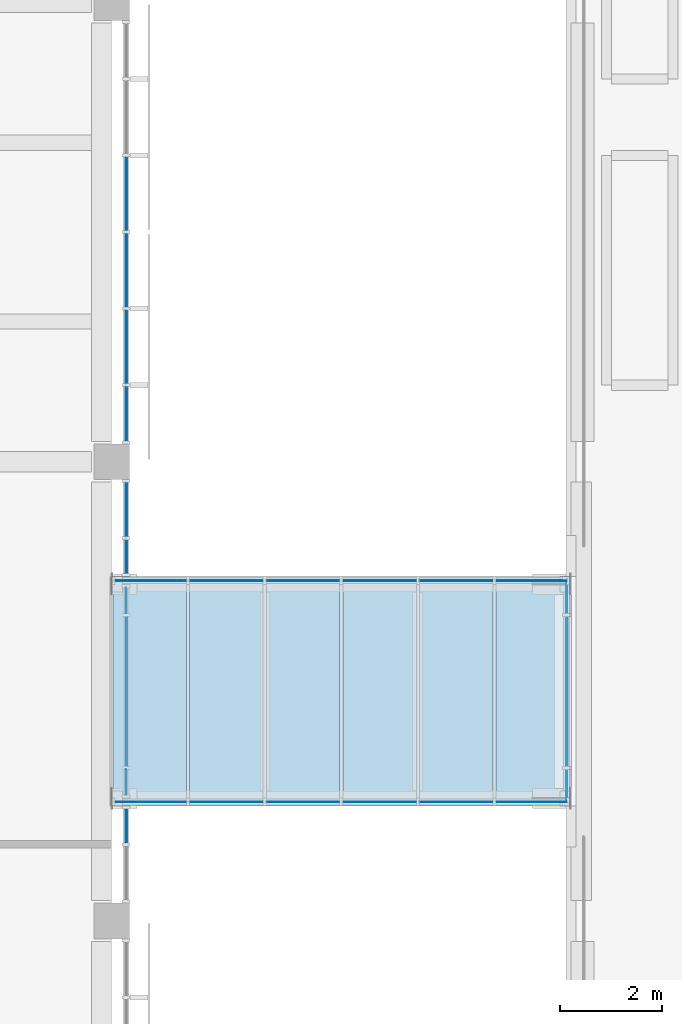
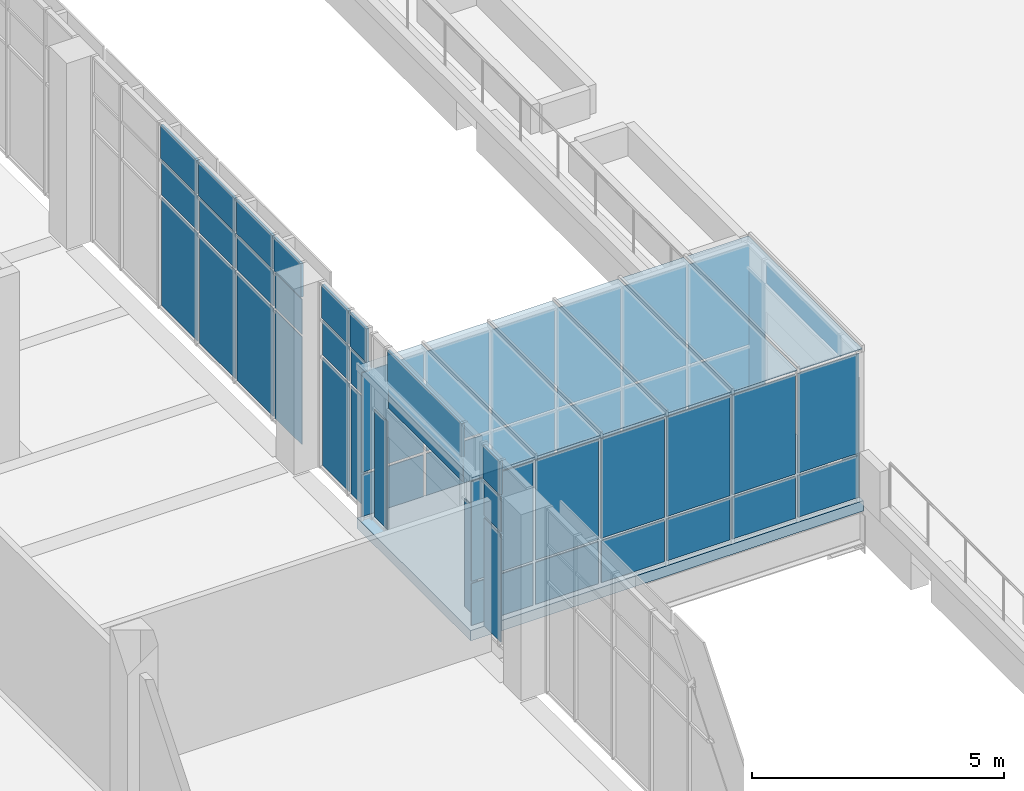
# One storey, part 59 of 106: 58 plates, 1 slab, 8 elements without a shape of their own.
"""IFC4 building model written with IfcOpenShell, lengths in metres."""

from ifc_helpers import new_model, si_unit, direction, frame, origin, origin_2d, place, context, subcontext, project, spatial, polyline, rectangle, outline, extrude, material, layer, layer_set, type_object, element, aggregate, save


model = new_model("IFC4")

# Units and contexts
model_context = context("Model", 3, precision=1e-05, world=origin(), true_north=direction((0.0, 1.0)))
body_context = subcontext(model_context, "Body", "Model", "MODEL_VIEW")
ifc_project = project(units=[si_unit("LENGTHUNIT", "METRE"), si_unit("AREAUNIT", "SQUARE_METRE"), si_unit("VOLUMEUNIT", "CUBIC_METRE"), si_unit("PLANEANGLEUNIT", "RADIAN"), si_unit("MASSUNIT", "GRAM", prefix="KILO")], contexts=[model_context])

# Site, building, storey
site_placement = place(None, origin())
site = spatial("IfcSite", under=ifc_project, at=site_placement, CompositionType="ELEMENT")
building_placement = place(site_placement, origin())
building = spatial("IfcBuilding", under=site, at=building_placement, Name="Guidao Yard Department Store", CompositionType="ELEMENT")
storey_placement = place(building_placement, frame((0.0, 0.0, 10.5)))
storey = spatial("IfcBuildingStorey", under=building, at=storey_placement, Name="L02", CompositionType="ELEMENT", Elevation=10.5)

# Slab
ifc_material_1 = material(Name="Concrete C35", Category="concrete")
ifc_layer_1 = layer(ifc_material_1, 0.25)
ifc_layer_set_1 = layer_set([ifc_layer_1], Name="Bridge deck slab 250 C35")
slab_type = type_object("IfcSlabType", Name="Bridge deck slab 250 C35", PredefinedType="FLOOR", material=ifc_layer_set_1)
slab_placement = place(storey_placement, frame((0.0, 0.0, -0.25)))
element("IfcSlab", 1, at=slab_placement, inside=storey, type_object=slab_type, Name="Slab BR08", PredefinedType="FLOOR", context=body_context, shape_type="SweptSolid", body=[
    extrude(outline(polyline([(108.0, 83.25), (108.0, 87.75), (116.985107421875, 87.75), (116.985107421875, 83.25), (108.0, 83.25)])), origin(), (0.0, 0.0, 1.0), 0.25),
])

# Curtain wall, plates
ifc_material_2 = material(Name="Aluminium and glass", Category="aluminium")
ifc_layer_2 = layer(ifc_material_2, 0.159912109375)
ifc_layer_set_2 = layer_set([ifc_layer_2], Name="Bridge glazing CW5 1500 module")
curtain_wall_type_1 = type_object("IfcCurtainWallType", Name="Bridge glazing CW5 1500 module", PredefinedType="NOTDEFINED", material=ifc_layer_set_2)
curtain_wall_1_placement = place(storey_placement, origin())
curtain_wall_1 = element("IfcCurtainWall", 2, at=curtain_wall_1_placement, inside=storey, type_object=curtain_wall_type_1, Name="Bridge roof glazing BR08", PredefinedType="NOTDEFINED")
ifc_material_3 = material(Name="Laminated glass", Category="glass")
ifc_layer_3 = layer(ifc_material_3, 0.017578125)
ifc_layer_set_3 = layer_set([ifc_layer_3], Name="Bridge roof glass BG1 laminated 8+8 fritted")
plate_type_1 = type_object("IfcPlateType", Name="Bridge roof glass BG1 laminated 8+8 fritted", PredefinedType="CURTAIN_PANEL", material=ifc_layer_set_3)
plate_1_placement = place(storey_placement, frame((108.75, 85.5, 3.671142578125), z_axis=(0.0, 0.0, 1.0), x_axis=(1.0, 0.0, 0.0)))
plate_1 = element("IfcPlate", 3, at=plate_1_placement, type_object=plate_type_1, Name="Bridge roof glass BR08", PredefinedType="CURTAIN_PANEL", context=body_context, shape_type="SweptSolid", body=[
    extrude(rectangle(XDim=1.43994140625, YDim=4.5, at=origin_2d()), origin(), (0.0, 0.0, 1.0), 0.017578125),
])
plate_2_placement = place(storey_placement, frame((110.25, 85.5, 3.671142578125), z_axis=(0.0, 0.0, 1.0), x_axis=(1.0, 0.0, 0.0)))
plate_2 = element("IfcPlate", 4, at=plate_2_placement, type_object=plate_type_1, Name="Bridge roof glass BR08", PredefinedType="CURTAIN_PANEL", context=body_context, shape_type="SweptSolid", body=[
    extrude(rectangle(XDim=1.43994140625, YDim=4.5, at=origin_2d()), origin(), (0.0, 0.0, 1.0), 0.017578125),
])
plate_3_placement = place(storey_placement, frame((111.75, 85.5, 3.671142578125), z_axis=(0.0, 0.0, 1.0), x_axis=(1.0, 0.0, 0.0)))
plate_3 = element("IfcPlate", 5, at=plate_3_placement, type_object=plate_type_1, Name="Bridge roof glass BR08", PredefinedType="CURTAIN_PANEL", context=body_context, shape_type="SweptSolid", body=[
    extrude(rectangle(XDim=1.43994140625, YDim=4.5, at=origin_2d()), origin(), (0.0, 0.0, 1.0), 0.017578125),
])
plate_4_placement = place(storey_placement, frame((113.25, 85.5, 3.671142578125), z_axis=(0.0, 0.0, 1.0), x_axis=(1.0, 0.0, 0.0)))
plate_4 = element("IfcPlate", 6, at=plate_4_placement, type_object=plate_type_1, Name="Bridge roof glass BR08", PredefinedType="CURTAIN_PANEL", context=body_context, shape_type="SweptSolid", body=[
    extrude(rectangle(XDim=1.43994140625, YDim=4.5, at=origin_2d()), origin(), (0.0, 0.0, 1.0), 0.017578125),
])
plate_5_placement = place(storey_placement, frame((114.75, 85.5, 3.671142578125), z_axis=(0.0, 0.0, 1.0), x_axis=(1.0, 0.0, 0.0)))
plate_5 = element("IfcPlate", 7, at=plate_5_placement, type_object=plate_type_1, Name="Bridge roof glass BR08", PredefinedType="CURTAIN_PANEL", context=body_context, shape_type="SweptSolid", body=[
    extrude(rectangle(XDim=1.43994140625, YDim=4.5, at=origin_2d()), origin(), (0.0, 0.0, 1.0), 0.017578125),
])
plate_6_placement = place(storey_placement, frame((116.242431640625, 85.5, 3.671142578125), z_axis=(0.0, 0.0, 1.0), x_axis=(1.0, 0.0, 0.0)))
plate_6 = element("IfcPlate", 8, at=plate_6_placement, type_object=plate_type_1, Name="Bridge roof glass BR08", PredefinedType="CURTAIN_PANEL", context=body_context, shape_type="SweptSolid", body=[
    extrude(rectangle(XDim=1.425048828125, YDim=4.5, at=origin_2d()), origin(), (0.0, 0.0, 1.0), 0.017578125),
])
aggregate(curtain_wall_1, [plate_1, plate_2, plate_3, plate_4, plate_5, plate_6])

# Curtain wall, plate
ifc_material_4 = material(Name="Aluminium and glass", Category="aluminium")
ifc_layer_4 = layer(ifc_material_4, 0.159912109375)
ifc_layer_set_4 = layer_set([ifc_layer_4], Name="Shopfront curtain wall CW1 1500 module")
curtain_wall_type_2 = type_object("IfcCurtainWallType", Name="Shopfront curtain wall CW1 1500 module", PredefinedType="NOTDEFINED", material=ifc_layer_set_4)
curtain_wall_2_placement = place(storey_placement, origin())
curtain_wall_2 = element("IfcCurtainWall", 9, at=curtain_wall_2_placement, inside=storey, type_object=curtain_wall_type_2, Name="Arcade shop front", PredefinedType="NOTDEFINED")
ifc_material_5 = material(Name="Aluminium 6063-T5 faced insulated spandrel", Category="aluminium")
ifc_layer_5 = layer(ifc_material_5, 0.06005859375)
ifc_layer_set_5 = layer_set([ifc_layer_5], Name="Spandrel panel SP1 insulated opaque")
plate_type_2 = type_object("IfcPlateType", Name="Spandrel panel SP1 insulated opaque", PredefinedType="CURTAIN_PANEL", material=ifc_layer_set_5)
plate_7_placement = place(storey_placement, frame((108.280029296875, 82.860107421875, 3.6298828125), z_axis=(0.0, 0.0, 1.0), x_axis=(0.0, -1.0, 0.0)))
plate_7 = element("IfcPlate", 10, at=plate_7_placement, type_object=plate_type_2, Name="CW-AS-L02-18 panel 2.3", PredefinedType="CURTAIN_PANEL", context=body_context, shape_type="SweptSolid", body=[
    extrude(rectangle(XDim=0.659912109375, YDim=0.06005859375, at=origin_2d()), origin(), (0.0, 0.0, 1.0), 0.81005859375),
])

curtain_wall_3_placement = place(storey_placement, origin())
curtain_wall_3 = element("IfcCurtainWall", 11, at=curtain_wall_3_placement, inside=storey, type_object=curtain_wall_type_2, Name="Arcade shop front", PredefinedType="NOTDEFINED")
plate_8_placement = place(storey_placement, frame((108.280029296875, 85.5, 3.6298828125), z_axis=(0.0, 0.0, 1.0), x_axis=(0.0, -1.0, 0.0)))
plate_8 = element("IfcPlate", 12, at=plate_8_placement, type_object=plate_type_2, Name="CW-AS-L02-19 panel 2.3", PredefinedType="CURTAIN_PANEL", context=body_context, shape_type="SweptSolid", body=[
    extrude(rectangle(XDim=2.93994140625, YDim=0.06005859375, at=origin_2d()), origin(), (0.0, 0.0, 1.0), 0.81005859375),
])

# Curtain wall, plates
curtain_wall_4_placement = place(storey_placement, origin())
curtain_wall_4 = element("IfcCurtainWall", 13, at=curtain_wall_4_placement, inside=storey, type_object=curtain_wall_type_2, Name="Arcade shop front", PredefinedType="NOTDEFINED")
plate_9_placement = place(storey_placement, frame((108.280029296875, 88.139892578125, 3.6298828125), z_axis=(0.0, 0.0, 1.0), x_axis=(0.0, -1.0, 0.0)))
plate_9 = element("IfcPlate", 14, at=plate_9_placement, type_object=plate_type_2, Name="CW-AS-L02-20 panel 1.3", PredefinedType="CURTAIN_PANEL", context=body_context, shape_type="SweptSolid", body=[
    extrude(rectangle(XDim=0.659912109375, YDim=0.06005859375, at=origin_2d()), origin(), (0.0, 0.0, 1.0), 0.81005859375),
])
plate_10_placement = place(storey_placement, frame((108.280029296875, 89.06005859375, 3.6298828125), z_axis=(0.0, 0.0, 1.0), x_axis=(0.0, -1.0, 0.0)))
plate_10 = element("IfcPlate", 15, at=plate_10_placement, type_object=plate_type_2, Name="CW-AS-L02-20 panel 2.3", PredefinedType="CURTAIN_PANEL", context=body_context, shape_type="SweptSolid", body=[
    extrude(rectangle(XDim=1.06005859375, YDim=0.06005859375, at=origin_2d()), origin(), (0.0, 0.0, 1.0), 0.81005859375),
])

curtain_wall_5_placement = place(storey_placement, origin())
curtain_wall_5 = element("IfcCurtainWall", 16, at=curtain_wall_5_placement, inside=storey, type_object=curtain_wall_type_2, Name="Arcade shop front", PredefinedType="NOTDEFINED")
plate_11_placement = place(storey_placement, frame((108.280029296875, 90.93994140625, 3.6298828125), z_axis=(0.0, 0.0, 1.0), x_axis=(0.0, -1.0, 0.0)))
plate_11 = element("IfcPlate", 17, at=plate_11_placement, type_object=plate_type_2, Name="CW-AS-L02-21 panel 1.3", PredefinedType="CURTAIN_PANEL", context=body_context, shape_type="SweptSolid", body=[
    extrude(rectangle(XDim=1.06005859375, YDim=0.06005859375, at=origin_2d()), origin(), (0.0, 0.0, 1.0), 0.81005859375),
])
plate_12_placement = place(storey_placement, frame((108.280029296875, 92.25, 3.6298828125), z_axis=(0.0, 0.0, 1.0), x_axis=(0.0, -1.0, 0.0)))
plate_12 = element("IfcPlate", 18, at=plate_12_placement, type_object=plate_type_2, Name="CW-AS-L02-21 panel 2.3", PredefinedType="CURTAIN_PANEL", context=body_context, shape_type="SweptSolid", body=[
    extrude(rectangle(XDim=1.43994140625, YDim=0.06005859375, at=origin_2d()), origin(), (0.0, 0.0, 1.0), 0.81005859375),
])
plate_13_placement = place(storey_placement, frame((108.280029296875, 93.75, 3.6298828125), z_axis=(0.0, 0.0, 1.0), x_axis=(0.0, -1.0, 0.0)))
plate_13 = element("IfcPlate", 19, at=plate_13_placement, type_object=plate_type_2, Name="CW-AS-L02-21 panel 3.3", PredefinedType="CURTAIN_PANEL", context=body_context, shape_type="SweptSolid", body=[
    extrude(rectangle(XDim=1.43994140625, YDim=0.06005859375, at=origin_2d()), origin(), (0.0, 0.0, 1.0), 0.81005859375),
])
plate_14_placement = place(storey_placement, frame((108.280029296875, 95.25, 3.6298828125), z_axis=(0.0, 0.0, 1.0), x_axis=(0.0, -1.0, 0.0)))
plate_14 = element("IfcPlate", 20, at=plate_14_placement, type_object=plate_type_2, Name="CW-AS-L02-21 panel 4.3", PredefinedType="CURTAIN_PANEL", context=body_context, shape_type="SweptSolid", body=[
    extrude(rectangle(XDim=1.43994140625, YDim=0.06005859375, at=origin_2d()), origin(), (0.0, 0.0, 1.0), 0.81005859375),
])

# Plate
ifc_material_6 = material(Name="Laminated heat-soaked tempered glass", Category="glass")
ifc_layer_6 = layer(ifc_material_6, 0.017578125)
ifc_layer_set_6 = layer_set([ifc_layer_6], Name="Vision glass VG1 laminated heat-soaked tempered 8+8")
plate_type_3 = type_object("IfcPlateType", Name="Vision glass VG1 laminated heat-soaked tempered 8+8", PredefinedType="CURTAIN_PANEL", material=ifc_layer_set_6)
plate_15_placement = place(storey_placement, frame((108.280029296875, 82.860107421875, 0.06005859375), z_axis=(0.0, 0.0, 1.0), x_axis=(0.0, -1.0, 0.0)))
plate_15 = element("IfcPlate", 21, at=plate_15_placement, type_object=plate_type_3, Name="CW-AS-L02-18 panel 2.1", PredefinedType="CURTAIN_PANEL", context=body_context, shape_type="SweptSolid", body=[
    extrude(rectangle(XDim=0.659912109375, YDim=0.017578125, at=origin_2d()), origin(), (0.0, 0.0, 1.0), 2.610107421875),
])

plate_16_placement = place(storey_placement, frame((108.280029296875, 82.860107421875, 2.72998046875), z_axis=(0.0, 0.0, 1.0), x_axis=(0.0, -1.0, 0.0)))
plate_16 = element("IfcPlate", 22, at=plate_16_placement, type_object=plate_type_3, Name="CW-AS-L02-18 panel 2.2", PredefinedType="CURTAIN_PANEL", context=body_context, shape_type="SweptSolid", body=[
    extrude(rectangle(XDim=0.659912109375, YDim=0.017578125, at=origin_2d()), origin(), (0.0, 0.0, 1.0), 0.840087890625),
])

aggregate(curtain_wall_2, [plate_15, plate_16, plate_7])

plate_17_placement = place(storey_placement, frame((108.280029296875, 83.719970703125, 0.06005859375), z_axis=(0.0, 0.0, 1.0), x_axis=(0.0, -1.0, 0.0)))
plate_17 = element("IfcPlate", 23, at=plate_17_placement, type_object=plate_type_3, Name="CW-AS-L02-19 panel 1.1", PredefinedType="CURTAIN_PANEL", context=body_context, shape_type="SweptSolid", body=[
    extrude(rectangle(XDim=0.5, YDim=0.017578125, at=origin_2d()), origin(), (0.0, 0.0, 1.0), 2.610107421875),
])

plate_18_placement = place(storey_placement, frame((108.280029296875, 85.5, 3.030029296875), z_axis=(0.0, 0.0, 1.0), x_axis=(0.0, -1.0, 0.0)))
plate_18 = element("IfcPlate", 24, at=plate_18_placement, type_object=plate_type_3, Name="CW-AS-L02-19 panel 2.2", PredefinedType="CURTAIN_PANEL", context=body_context, shape_type="SweptSolid", body=[
    extrude(rectangle(XDim=2.93994140625, YDim=0.017578125, at=origin_2d()), origin(), (0.0, 0.0, 1.0), 0.5400390625),
])

plate_19_placement = place(storey_placement, frame((108.280029296875, 87.280029296875, 0.06005859375), z_axis=(0.0, 0.0, 1.0), x_axis=(0.0, -1.0, 0.0)))
plate_19 = element("IfcPlate", 25, at=plate_19_placement, type_object=plate_type_3, Name="CW-AS-L02-19 panel 3.1", PredefinedType="CURTAIN_PANEL", context=body_context, shape_type="SweptSolid", body=[
    extrude(rectangle(XDim=0.5, YDim=0.017578125, at=origin_2d()), origin(), (0.0, 0.0, 1.0), 2.610107421875),
])

aggregate(curtain_wall_3, [plate_17, plate_18, plate_8, plate_19])

plate_20_placement = place(storey_placement, frame((108.280029296875, 88.139892578125, 0.06005859375), z_axis=(0.0, 0.0, 1.0), x_axis=(0.0, -1.0, 0.0)))
plate_20 = element("IfcPlate", 26, at=plate_20_placement, type_object=plate_type_3, Name="CW-AS-L02-20 panel 1.1", PredefinedType="CURTAIN_PANEL", context=body_context, shape_type="SweptSolid", body=[
    extrude(rectangle(XDim=0.659912109375, YDim=0.017578125, at=origin_2d()), origin(), (0.0, 0.0, 1.0), 2.610107421875),
])

plate_21_placement = place(storey_placement, frame((108.280029296875, 88.139892578125, 2.72998046875), z_axis=(0.0, 0.0, 1.0), x_axis=(0.0, -1.0, 0.0)))
plate_21 = element("IfcPlate", 27, at=plate_21_placement, type_object=plate_type_3, Name="CW-AS-L02-20 panel 1.2", PredefinedType="CURTAIN_PANEL", context=body_context, shape_type="SweptSolid", body=[
    extrude(rectangle(XDim=0.659912109375, YDim=0.017578125, at=origin_2d()), origin(), (0.0, 0.0, 1.0), 0.840087890625),
])

plate_22_placement = place(storey_placement, frame((108.280029296875, 89.06005859375, 0.06005859375), z_axis=(0.0, 0.0, 1.0), x_axis=(0.0, -1.0, 0.0)))
plate_22 = element("IfcPlate", 28, at=plate_22_placement, type_object=plate_type_3, Name="CW-AS-L02-20 panel 2.1", PredefinedType="CURTAIN_PANEL", context=body_context, shape_type="SweptSolid", body=[
    extrude(rectangle(XDim=1.06005859375, YDim=0.017578125, at=origin_2d()), origin(), (0.0, 0.0, 1.0), 2.610107421875),
])

plate_23_placement = place(storey_placement, frame((108.280029296875, 89.06005859375, 2.72998046875), z_axis=(0.0, 0.0, 1.0), x_axis=(0.0, -1.0, 0.0)))
plate_23 = element("IfcPlate", 29, at=plate_23_placement, type_object=plate_type_3, Name="CW-AS-L02-20 panel 2.2", PredefinedType="CURTAIN_PANEL", context=body_context, shape_type="SweptSolid", body=[
    extrude(rectangle(XDim=1.06005859375, YDim=0.017578125, at=origin_2d()), origin(), (0.0, 0.0, 1.0), 0.840087890625),
])

aggregate(curtain_wall_4, [plate_20, plate_21, plate_9, plate_22, plate_23, plate_10])

plate_24_placement = place(storey_placement, frame((108.280029296875, 90.93994140625, 0.06005859375), z_axis=(0.0, 0.0, 1.0), x_axis=(0.0, -1.0, 0.0)))
plate_24 = element("IfcPlate", 30, at=plate_24_placement, type_object=plate_type_3, Name="CW-AS-L02-21 panel 1.1", PredefinedType="CURTAIN_PANEL", context=body_context, shape_type="SweptSolid", body=[
    extrude(rectangle(XDim=1.06005859375, YDim=0.017578125, at=origin_2d()), origin(), (0.0, 0.0, 1.0), 2.610107421875),
])

plate_25_placement = place(storey_placement, frame((108.280029296875, 90.93994140625, 2.72998046875), z_axis=(0.0, 0.0, 1.0), x_axis=(0.0, -1.0, 0.0)))
plate_25 = element("IfcPlate", 31, at=plate_25_placement, type_object=plate_type_3, Name="CW-AS-L02-21 panel 1.2", PredefinedType="CURTAIN_PANEL", context=body_context, shape_type="SweptSolid", body=[
    extrude(rectangle(XDim=1.06005859375, YDim=0.017578125, at=origin_2d()), origin(), (0.0, 0.0, 1.0), 0.840087890625),
])

plate_26_placement = place(storey_placement, frame((108.280029296875, 92.25, 0.06005859375), z_axis=(0.0, 0.0, 1.0), x_axis=(0.0, -1.0, 0.0)))
plate_26 = element("IfcPlate", 32, at=plate_26_placement, type_object=plate_type_3, Name="CW-AS-L02-21 panel 2.1", PredefinedType="CURTAIN_PANEL", context=body_context, shape_type="SweptSolid", body=[
    extrude(rectangle(XDim=1.43994140625, YDim=0.017578125, at=origin_2d()), origin(), (0.0, 0.0, 1.0), 2.610107421875),
])

plate_27_placement = place(storey_placement, frame((108.280029296875, 92.25, 2.72998046875), z_axis=(0.0, 0.0, 1.0), x_axis=(0.0, -1.0, 0.0)))
plate_27 = element("IfcPlate", 33, at=plate_27_placement, type_object=plate_type_3, Name="CW-AS-L02-21 panel 2.2", PredefinedType="CURTAIN_PANEL", context=body_context, shape_type="SweptSolid", body=[
    extrude(rectangle(XDim=1.43994140625, YDim=0.017578125, at=origin_2d()), origin(), (0.0, 0.0, 1.0), 0.840087890625),
])

plate_28_placement = place(storey_placement, frame((108.280029296875, 93.75, 0.06005859375), z_axis=(0.0, 0.0, 1.0), x_axis=(0.0, -1.0, 0.0)))
plate_28 = element("IfcPlate", 34, at=plate_28_placement, type_object=plate_type_3, Name="CW-AS-L02-21 panel 3.1", PredefinedType="CURTAIN_PANEL", context=body_context, shape_type="SweptSolid", body=[
    extrude(rectangle(XDim=1.43994140625, YDim=0.017578125, at=origin_2d()), origin(), (0.0, 0.0, 1.0), 2.610107421875),
])

plate_29_placement = place(storey_placement, frame((108.280029296875, 93.75, 2.72998046875), z_axis=(0.0, 0.0, 1.0), x_axis=(0.0, -1.0, 0.0)))
plate_29 = element("IfcPlate", 35, at=plate_29_placement, type_object=plate_type_3, Name="CW-AS-L02-21 panel 3.2", PredefinedType="CURTAIN_PANEL", context=body_context, shape_type="SweptSolid", body=[
    extrude(rectangle(XDim=1.43994140625, YDim=0.017578125, at=origin_2d()), origin(), (0.0, 0.0, 1.0), 0.840087890625),
])

plate_30_placement = place(storey_placement, frame((108.280029296875, 95.25, 0.06005859375), z_axis=(0.0, 0.0, 1.0), x_axis=(0.0, -1.0, 0.0)))
plate_30 = element("IfcPlate", 36, at=plate_30_placement, type_object=plate_type_3, Name="CW-AS-L02-21 panel 4.1", PredefinedType="CURTAIN_PANEL", context=body_context, shape_type="SweptSolid", body=[
    extrude(rectangle(XDim=1.43994140625, YDim=0.017578125, at=origin_2d()), origin(), (0.0, 0.0, 1.0), 2.610107421875),
])

plate_31_placement = place(storey_placement, frame((108.280029296875, 95.25, 2.72998046875), z_axis=(0.0, 0.0, 1.0), x_axis=(0.0, -1.0, 0.0)))
plate_31 = element("IfcPlate", 37, at=plate_31_placement, type_object=plate_type_3, Name="CW-AS-L02-21 panel 4.2", PredefinedType="CURTAIN_PANEL", context=body_context, shape_type="SweptSolid", body=[
    extrude(rectangle(XDim=1.43994140625, YDim=0.017578125, at=origin_2d()), origin(), (0.0, 0.0, 1.0), 0.840087890625),
])

aggregate(curtain_wall_5, [plate_24, plate_25, plate_11, plate_26, plate_27, plate_12, plate_28, plate_29, plate_13, plate_30, plate_31, plate_14])

# Curtain wall, plates
curtain_wall_6_placement = place(storey_placement, origin())
curtain_wall_6 = element("IfcCurtainWall", 38, at=curtain_wall_6_placement, inside=storey, type_object=curtain_wall_type_1, Name="Bridge glazing BR08 S", PredefinedType="NOTDEFINED")
plate_32_placement = place(storey_placement, frame((108.764892578125, 83.330078125, 0.06005859375), z_axis=(0.0, 0.0, 1.0), x_axis=(-1.0, 0.0, 0.0)))
plate_32 = element("IfcPlate", 39, at=plate_32_placement, type_object=plate_type_3, Name="CW-S-L02-05 panel 1.1", PredefinedType="CURTAIN_PANEL", context=body_context, shape_type="SweptSolid", body=[
    extrude(rectangle(XDim=1.409912109375, YDim=0.017578125, at=origin_2d()), origin(), (0.0, 0.0, 1.0), 1.010009765625),
])
plate_33_placement = place(storey_placement, frame((108.764892578125, 83.330078125, 1.1298828125), z_axis=(0.0, 0.0, 1.0), x_axis=(-1.0, 0.0, 0.0)))
plate_33 = element("IfcPlate", 40, at=plate_33_placement, type_object=plate_type_3, Name="CW-S-L02-05 panel 1.2", PredefinedType="CURTAIN_PANEL", context=body_context, shape_type="SweptSolid", body=[
    extrude(rectangle(XDim=1.409912109375, YDim=0.017578125, at=origin_2d()), origin(), (0.0, 0.0, 1.0), 2.409912109375),
])
plate_34_placement = place(storey_placement, frame((110.25, 83.330078125, 0.06005859375), z_axis=(0.0, 0.0, 1.0), x_axis=(-1.0, 0.0, 0.0)))
plate_34 = element("IfcPlate", 41, at=plate_34_placement, type_object=plate_type_3, Name="CW-S-L02-05 panel 2.1", PredefinedType="CURTAIN_PANEL", context=body_context, shape_type="SweptSolid", body=[
    extrude(rectangle(XDim=1.43994140625, YDim=0.017578125, at=origin_2d()), origin(), (0.0, 0.0, 1.0), 1.010009765625),
])
plate_35_placement = place(storey_placement, frame((110.25, 83.330078125, 1.1298828125), z_axis=(0.0, 0.0, 1.0), x_axis=(-1.0, 0.0, 0.0)))
plate_35 = element("IfcPlate", 42, at=plate_35_placement, type_object=plate_type_3, Name="CW-S-L02-05 panel 2.2", PredefinedType="CURTAIN_PANEL", context=body_context, shape_type="SweptSolid", body=[
    extrude(rectangle(XDim=1.43994140625, YDim=0.017578125, at=origin_2d()), origin(), (0.0, 0.0, 1.0), 2.409912109375),
])
plate_36_placement = place(storey_placement, frame((111.75, 83.330078125, 0.06005859375), z_axis=(0.0, 0.0, 1.0), x_axis=(-1.0, 0.0, 0.0)))
plate_36 = element("IfcPlate", 43, at=plate_36_placement, type_object=plate_type_3, Name="CW-S-L02-05 panel 3.1", PredefinedType="CURTAIN_PANEL", context=body_context, shape_type="SweptSolid", body=[
    extrude(rectangle(XDim=1.43994140625, YDim=0.017578125, at=origin_2d()), origin(), (0.0, 0.0, 1.0), 1.010009765625),
])
plate_37_placement = place(storey_placement, frame((111.75, 83.330078125, 1.1298828125), z_axis=(0.0, 0.0, 1.0), x_axis=(-1.0, 0.0, 0.0)))
plate_37 = element("IfcPlate", 44, at=plate_37_placement, type_object=plate_type_3, Name="CW-S-L02-05 panel 3.2", PredefinedType="CURTAIN_PANEL", context=body_context, shape_type="SweptSolid", body=[
    extrude(rectangle(XDim=1.43994140625, YDim=0.017578125, at=origin_2d()), origin(), (0.0, 0.0, 1.0), 2.409912109375),
])
plate_38_placement = place(storey_placement, frame((113.25, 83.330078125, 0.06005859375), z_axis=(0.0, 0.0, 1.0), x_axis=(-1.0, 0.0, 0.0)))
plate_38 = element("IfcPlate", 45, at=plate_38_placement, type_object=plate_type_3, Name="CW-S-L02-05 panel 4.1", PredefinedType="CURTAIN_PANEL", context=body_context, shape_type="SweptSolid", body=[
    extrude(rectangle(XDim=1.43994140625, YDim=0.017578125, at=origin_2d()), origin(), (0.0, 0.0, 1.0), 1.010009765625),
])
plate_39_placement = place(storey_placement, frame((113.25, 83.330078125, 1.1298828125), z_axis=(0.0, 0.0, 1.0), x_axis=(-1.0, 0.0, 0.0)))
plate_39 = element("IfcPlate", 46, at=plate_39_placement, type_object=plate_type_3, Name="CW-S-L02-05 panel 4.2", PredefinedType="CURTAIN_PANEL", context=body_context, shape_type="SweptSolid", body=[
    extrude(rectangle(XDim=1.43994140625, YDim=0.017578125, at=origin_2d()), origin(), (0.0, 0.0, 1.0), 2.409912109375),
])
plate_40_placement = place(storey_placement, frame((114.75, 83.330078125, 0.06005859375), z_axis=(0.0, 0.0, 1.0), x_axis=(-1.0, 0.0, 0.0)))
plate_40 = element("IfcPlate", 47, at=plate_40_placement, type_object=plate_type_3, Name="CW-S-L02-05 panel 5.1", PredefinedType="CURTAIN_PANEL", context=body_context, shape_type="SweptSolid", body=[
    extrude(rectangle(XDim=1.43994140625, YDim=0.017578125, at=origin_2d()), origin(), (0.0, 0.0, 1.0), 1.010009765625),
])
plate_41_placement = place(storey_placement, frame((114.75, 83.330078125, 1.1298828125), z_axis=(0.0, 0.0, 1.0), x_axis=(-1.0, 0.0, 0.0)))
plate_41 = element("IfcPlate", 48, at=plate_41_placement, type_object=plate_type_3, Name="CW-S-L02-05 panel 5.2", PredefinedType="CURTAIN_PANEL", context=body_context, shape_type="SweptSolid", body=[
    extrude(rectangle(XDim=1.43994140625, YDim=0.017578125, at=origin_2d()), origin(), (0.0, 0.0, 1.0), 2.409912109375),
])
plate_42_placement = place(storey_placement, frame((116.2275390625, 83.330078125, 0.06005859375), z_axis=(0.0, 0.0, 1.0), x_axis=(-1.0, 0.0, 0.0)))
plate_42 = element("IfcPlate", 49, at=plate_42_placement, type_object=plate_type_3, Name="CW-S-L02-05 panel 6.1", PredefinedType="CURTAIN_PANEL", context=body_context, shape_type="SweptSolid", body=[
    extrude(rectangle(XDim=1.39501953125, YDim=0.017578125, at=origin_2d()), origin(), (0.0, 0.0, 1.0), 1.010009765625),
])
plate_43_placement = place(storey_placement, frame((116.2275390625, 83.330078125, 1.1298828125), z_axis=(0.0, 0.0, 1.0), x_axis=(-1.0, 0.0, 0.0)))
plate_43 = element("IfcPlate", 50, at=plate_43_placement, type_object=plate_type_3, Name="CW-S-L02-05 panel 6.2", PredefinedType="CURTAIN_PANEL", context=body_context, shape_type="SweptSolid", body=[
    extrude(rectangle(XDim=1.39501953125, YDim=0.017578125, at=origin_2d()), origin(), (0.0, 0.0, 1.0), 2.409912109375),
])
aggregate(curtain_wall_6, [plate_32, plate_33, plate_34, plate_35, plate_36, plate_37, plate_38, plate_39, plate_40, plate_41, plate_42, plate_43])

curtain_wall_7_placement = place(storey_placement, origin())
curtain_wall_7 = element("IfcCurtainWall", 51, at=curtain_wall_7_placement, inside=storey, type_object=curtain_wall_type_1, Name="Bridge glazing BR08 N", PredefinedType="NOTDEFINED")
plate_44_placement = place(storey_placement, frame((108.764892578125, 87.669921875, 0.06005859375), z_axis=(0.0, 0.0, 1.0), x_axis=(1.0, 0.0, 0.0)))
plate_44 = element("IfcPlate", 52, at=plate_44_placement, type_object=plate_type_3, Name="CW-N-L02-06 panel 1.1", PredefinedType="CURTAIN_PANEL", context=body_context, shape_type="SweptSolid", body=[
    extrude(rectangle(XDim=1.409912109375, YDim=0.017578125, at=origin_2d()), origin(), (0.0, 0.0, 1.0), 1.010009765625),
])
plate_45_placement = place(storey_placement, frame((108.764892578125, 87.669921875, 1.1298828125), z_axis=(0.0, 0.0, 1.0), x_axis=(1.0, 0.0, 0.0)))
plate_45 = element("IfcPlate", 53, at=plate_45_placement, type_object=plate_type_3, Name="CW-N-L02-06 panel 1.2", PredefinedType="CURTAIN_PANEL", context=body_context, shape_type="SweptSolid", body=[
    extrude(rectangle(XDim=1.409912109375, YDim=0.017578125, at=origin_2d()), origin(), (0.0, 0.0, 1.0), 2.409912109375),
])
plate_46_placement = place(storey_placement, frame((110.25, 87.669921875, 0.06005859375), z_axis=(0.0, 0.0, 1.0), x_axis=(1.0, 0.0, 0.0)))
plate_46 = element("IfcPlate", 54, at=plate_46_placement, type_object=plate_type_3, Name="CW-N-L02-06 panel 2.1", PredefinedType="CURTAIN_PANEL", context=body_context, shape_type="SweptSolid", body=[
    extrude(rectangle(XDim=1.43994140625, YDim=0.017578125, at=origin_2d()), origin(), (0.0, 0.0, 1.0), 1.010009765625),
])
plate_47_placement = place(storey_placement, frame((110.25, 87.669921875, 1.1298828125), z_axis=(0.0, 0.0, 1.0), x_axis=(1.0, 0.0, 0.0)))
plate_47 = element("IfcPlate", 55, at=plate_47_placement, type_object=plate_type_3, Name="CW-N-L02-06 panel 2.2", PredefinedType="CURTAIN_PANEL", context=body_context, shape_type="SweptSolid", body=[
    extrude(rectangle(XDim=1.43994140625, YDim=0.017578125, at=origin_2d()), origin(), (0.0, 0.0, 1.0), 2.409912109375),
])
plate_48_placement = place(storey_placement, frame((111.75, 87.669921875, 0.06005859375), z_axis=(0.0, 0.0, 1.0), x_axis=(1.0, 0.0, 0.0)))
plate_48 = element("IfcPlate", 56, at=plate_48_placement, type_object=plate_type_3, Name="CW-N-L02-06 panel 3.1", PredefinedType="CURTAIN_PANEL", context=body_context, shape_type="SweptSolid", body=[
    extrude(rectangle(XDim=1.43994140625, YDim=0.017578125, at=origin_2d()), origin(), (0.0, 0.0, 1.0), 1.010009765625),
])
plate_49_placement = place(storey_placement, frame((111.75, 87.669921875, 1.1298828125), z_axis=(0.0, 0.0, 1.0), x_axis=(1.0, 0.0, 0.0)))
plate_49 = element("IfcPlate", 57, at=plate_49_placement, type_object=plate_type_3, Name="CW-N-L02-06 panel 3.2", PredefinedType="CURTAIN_PANEL", context=body_context, shape_type="SweptSolid", body=[
    extrude(rectangle(XDim=1.43994140625, YDim=0.017578125, at=origin_2d()), origin(), (0.0, 0.0, 1.0), 2.409912109375),
])
plate_50_placement = place(storey_placement, frame((113.25, 87.669921875, 0.06005859375), z_axis=(0.0, 0.0, 1.0), x_axis=(1.0, 0.0, 0.0)))
plate_50 = element("IfcPlate", 58, at=plate_50_placement, type_object=plate_type_3, Name="CW-N-L02-06 panel 4.1", PredefinedType="CURTAIN_PANEL", context=body_context, shape_type="SweptSolid", body=[
    extrude(rectangle(XDim=1.43994140625, YDim=0.017578125, at=origin_2d()), origin(), (0.0, 0.0, 1.0), 1.010009765625),
])
plate_51_placement = place(storey_placement, frame((113.25, 87.669921875, 1.1298828125), z_axis=(0.0, 0.0, 1.0), x_axis=(1.0, 0.0, 0.0)))
plate_51 = element("IfcPlate", 59, at=plate_51_placement, type_object=plate_type_3, Name="CW-N-L02-06 panel 4.2", PredefinedType="CURTAIN_PANEL", context=body_context, shape_type="SweptSolid", body=[
    extrude(rectangle(XDim=1.43994140625, YDim=0.017578125, at=origin_2d()), origin(), (0.0, 0.0, 1.0), 2.409912109375),
])
plate_52_placement = place(storey_placement, frame((114.75, 87.669921875, 0.06005859375), z_axis=(0.0, 0.0, 1.0), x_axis=(1.0, 0.0, 0.0)))
plate_52 = element("IfcPlate", 60, at=plate_52_placement, type_object=plate_type_3, Name="CW-N-L02-06 panel 5.1", PredefinedType="CURTAIN_PANEL", context=body_context, shape_type="SweptSolid", body=[
    extrude(rectangle(XDim=1.43994140625, YDim=0.017578125, at=origin_2d()), origin(), (0.0, 0.0, 1.0), 1.010009765625),
])
plate_53_placement = place(storey_placement, frame((114.75, 87.669921875, 1.1298828125), z_axis=(0.0, 0.0, 1.0), x_axis=(1.0, 0.0, 0.0)))
plate_53 = element("IfcPlate", 61, at=plate_53_placement, type_object=plate_type_3, Name="CW-N-L02-06 panel 5.2", PredefinedType="CURTAIN_PANEL", context=body_context, shape_type="SweptSolid", body=[
    extrude(rectangle(XDim=1.43994140625, YDim=0.017578125, at=origin_2d()), origin(), (0.0, 0.0, 1.0), 2.409912109375),
])
plate_54_placement = place(storey_placement, frame((116.2275390625, 87.669921875, 0.06005859375), z_axis=(0.0, 0.0, 1.0), x_axis=(1.0, 0.0, 0.0)))
plate_54 = element("IfcPlate", 62, at=plate_54_placement, type_object=plate_type_3, Name="CW-N-L02-06 panel 6.1", PredefinedType="CURTAIN_PANEL", context=body_context, shape_type="SweptSolid", body=[
    extrude(rectangle(XDim=1.39501953125, YDim=0.017578125, at=origin_2d()), origin(), (0.0, 0.0, 1.0), 1.010009765625),
])
plate_55_placement = place(storey_placement, frame((116.2275390625, 87.669921875, 1.1298828125), z_axis=(0.0, 0.0, 1.0), x_axis=(1.0, 0.0, 0.0)))
plate_55 = element("IfcPlate", 63, at=plate_55_placement, type_object=plate_type_3, Name="CW-N-L02-06 panel 6.2", PredefinedType="CURTAIN_PANEL", context=body_context, shape_type="SweptSolid", body=[
    extrude(rectangle(XDim=1.39501953125, YDim=0.017578125, at=origin_2d()), origin(), (0.0, 0.0, 1.0), 2.409912109375),
])
aggregate(curtain_wall_7, [plate_44, plate_45, plate_46, plate_47, plate_48, plate_49, plate_50, plate_51, plate_52, plate_53, plate_54, plate_55])

curtain_wall_8_placement = place(storey_placement, origin())
curtain_wall_8 = element("IfcCurtainWall", 64, at=curtain_wall_8_placement, inside=storey, type_object=curtain_wall_type_1, Name="Bridge end screen BR08", PredefinedType="NOTDEFINED")
plate_56_placement = place(storey_placement, frame((116.919921875, 83.639892578125, 0.06005859375), z_axis=(0.0, 0.0, 1.0), x_axis=(0.0, -1.0, 0.0)))
plate_56 = element("IfcPlate", 65, at=plate_56_placement, type_object=plate_type_3, Name="CW-E-L02-07 panel 1.1", PredefinedType="CURTAIN_PANEL", context=body_context, shape_type="SweptSolid", body=[
    extrude(rectangle(XDim=0.659912109375, YDim=0.017578125, at=origin_2d()), origin(), (0.0, 0.0, 1.0), 2.909912109375),
])
plate_57_placement = place(storey_placement, frame((116.919921875, 85.5, 3.02978515625), z_axis=(0.0, 0.0, 1.0), x_axis=(0.0, -1.0, 0.0)))
plate_57 = element("IfcPlate", 66, at=plate_57_placement, type_object=plate_type_3, Name="CW-E-L02-07 panel 2.2", PredefinedType="CURTAIN_PANEL", context=body_context, shape_type="SweptSolid", body=[
    extrude(rectangle(XDim=2.93994140625, YDim=0.017578125, at=origin_2d()), origin(), (0.0, 0.0, 1.0), 0.510009765625),
])
plate_58_placement = place(storey_placement, frame((116.919921875, 87.360107421875, 0.06005859375), z_axis=(0.0, 0.0, 1.0), x_axis=(0.0, -1.0, 0.0)))
plate_58 = element("IfcPlate", 67, at=plate_58_placement, type_object=plate_type_3, Name="CW-E-L02-07 panel 3.1", PredefinedType="CURTAIN_PANEL", context=body_context, shape_type="SweptSolid", body=[
    extrude(rectangle(XDim=0.659912109375, YDim=0.017578125, at=origin_2d()), origin(), (0.0, 0.0, 1.0), 2.909912109375),
])
aggregate(curtain_wall_8, [plate_56, plate_57, plate_58])

save(model, "model.ifc")
